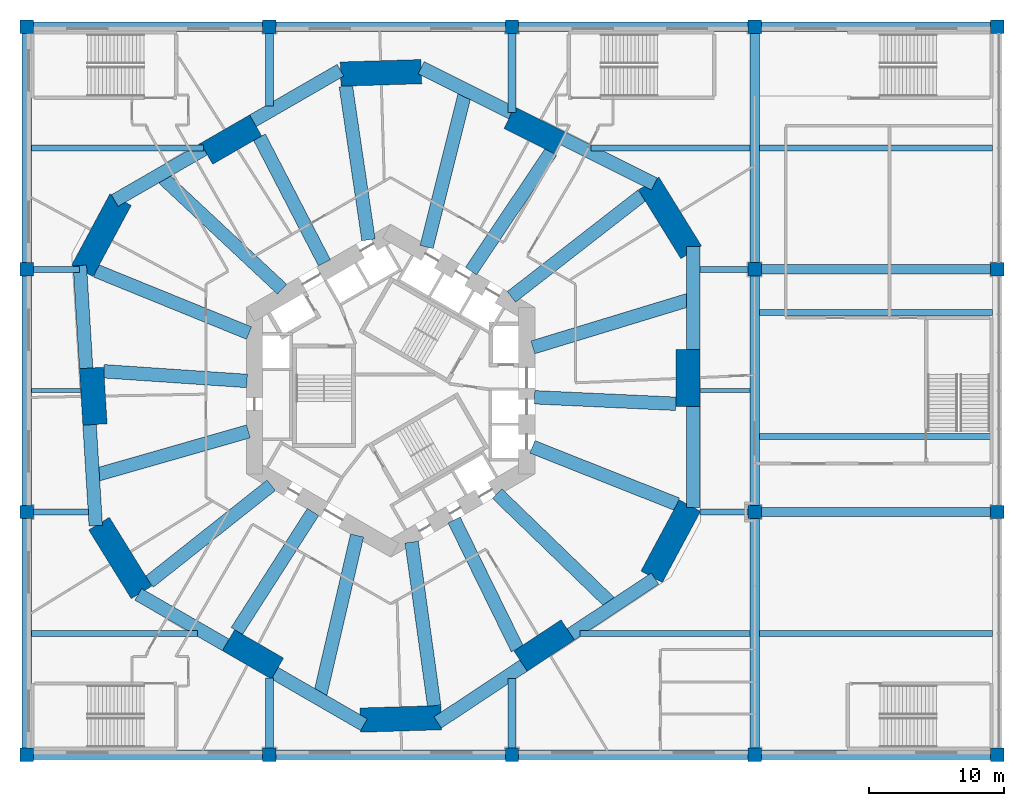
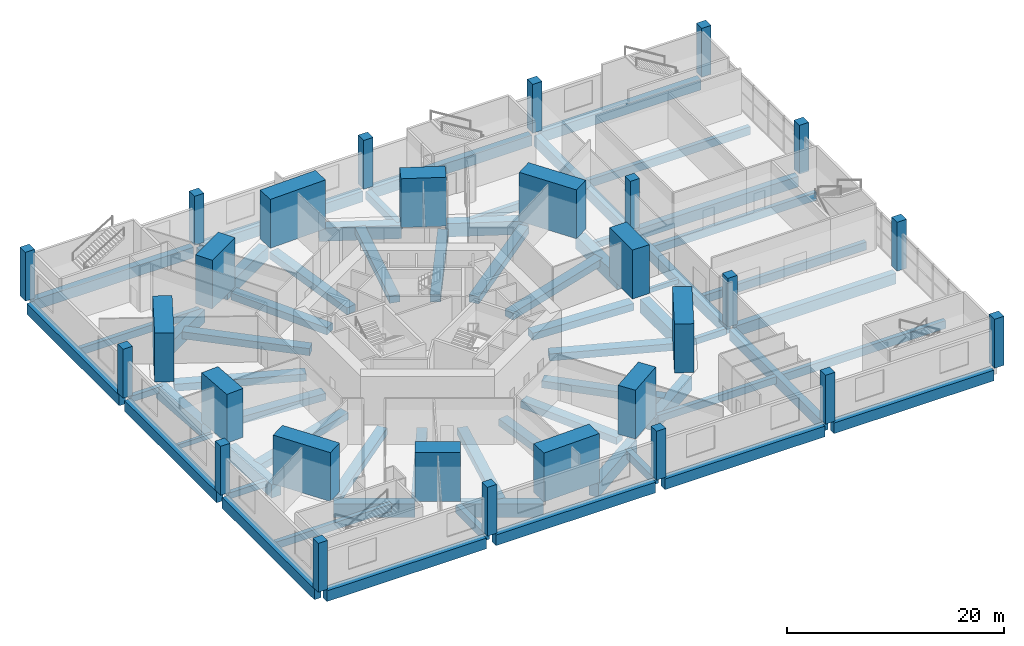
# One storey, part 1 of 16: 64 beams, 28 columns.
"""IFC4 building model written with IfcOpenShell, lengths in metres."""

from ifc_helpers import new_model, si_unit, direction, frame, origin, origin_2d, place, context, subcontext, project, spatial, rectangle, extrude, material, material_profile, profile_set, type_object, element, save


model = new_model("IFC4")

# Units and contexts
model_context = context("Model", 3, precision=1e-05, world=origin(), true_north=direction((0.0, 1.0)))
body_context = subcontext(model_context, "Body", "Model", "MODEL_VIEW")
ifc_project = project(units=[si_unit("LENGTHUNIT", "METRE"), si_unit("AREAUNIT", "SQUARE_METRE"), si_unit("VOLUMEUNIT", "CUBIC_METRE"), si_unit("PLANEANGLEUNIT", "RADIAN"), si_unit("MASSUNIT", "GRAM", prefix="KILO")], contexts=[model_context])

# Site, building, storey
site_placement = place(None, origin())
site = spatial("IfcSite", under=ifc_project, at=site_placement, CompositionType="ELEMENT")
building_placement = place(site_placement, origin())
building = spatial("IfcBuilding", under=site, at=building_placement, Name="Vanh Sen Convention Tower", CompositionType="ELEMENT")
storey_placement = place(building_placement, frame((0.0, 0.0, 29.0)))
storey = spatial("IfcBuildingStorey", under=building, at=storey_placement, Name="L04", CompositionType="ELEMENT", Elevation=29.0)

# Columns
ifc_material_1 = material(Name="Concrete C80/95", Category="concrete")
ifc_material_profile_1 = material_profile(ifc_material_1, rectangle(XDim=4.199951171875, YDim=1.800048828125, at=origin_2d()), Name="RC 4200X1800")
ifc_profile_set_1 = profile_set([ifc_material_profile_1], Name="Concrete C80/95")
column_type_1 = type_object("IfcColumnType", Name="Mega column 4200 x 1800 C80/95", PredefinedType="COLUMN", material=ifc_profile_set_1)
for number, where, z_axis, x_axis, name in (
    (1, (22.050048828125, 0.937255859375, 0.0), (0.0, 0.0, 1.0), (0.0, 1.0, 0.0), "Mega column 01 L04"),
    (2, (10.677490234375, 19.315185546875, 0.0), (0.0, 0.0, 1.0), (-0.894935140363, 0.446196251154, 0.0), "Mega column 03 L04"),
    (3, (-11.836669921875, 18.627197265625, 0.0), (0.0, 0.0, 1.0), (-0.866028021766, -0.499995465495, 0.0), "Mega column 05 L04"),
    (4, (-22.06591796875, -0.41064453125, 0.0), (0.0, 0.0, 1.0), (0.061046797461, -0.99813490497, 0.0), "Mega column 07 L04"),
    (5, (-10.21337890625, -19.564453125, 0.0), (0.0, 0.0, 1.0), (0.866028021766, -0.499995465495, 0.0), "Mega column 09 L04"),
    (6, (11.388671875, -18.904541015625, 0.0), (0.0, 0.0, 1.0), (0.833880042151, 0.551945717714, 0.0), "Mega column 11 L04"),
):
    element("IfcColumn", number, at=place(storey_placement, frame(where, z_axis=z_axis, x_axis=x_axis)), inside=storey, type_object=column_type_1, Name=name, PredefinedType="COLUMN", context=body_context, shape_type="SweptSolid", body=[
        extrude(rectangle(XDim=4.199951171875, YDim=1.800048828125, at=origin_2d()), origin(), (0.0, 0.0, 1.0), 5.5),
    ])
ifc_material_profile_2 = material_profile(ifc_material_1, rectangle(XDim=6.0, YDim=1.800048828125, at=origin_2d()), Name="RC 6000X1800")
ifc_profile_set_2 = profile_set([ifc_material_profile_2], Name="Concrete C80/95")
column_type_2 = type_object("IfcColumnType", Name="Mega column 6000 x 1800 C80/95", PredefinedType="COLUMN", material=ifc_profile_set_2)
for number, where, z_axis, x_axis, name in (
    (7, (20.71435546875, 12.818359375, 0.0), (0.0, 0.0, 1.0), (-0.526210955359, 0.850354061823, 0.0), "Mega column 02 L04"),
    (8, (-0.72021484375, 23.5771484375, 0.0), (0.0, 0.0, 1.0), (-0.999533644135, -0.030536768695, 0.0), "Mega column 04 L04"),
    (9, (-21.458251953125, 11.52978515625, 0.0), (0.0, 0.0, 1.0), (-0.473316592293, -0.880892390397, 0.0), "Mega column 06 L04"),
    (10, (-20.058349609375, -12.41259765625, 0.0), (0.0, 0.0, 1.0), (0.526202050444, -0.850359572245, 0.0), "Mega column 08 L04"),
    (11, (0.743896484375, -24.348388671875, 0.0), (0.0, 0.0, 1.0), (0.999533484231, 0.03054200224, 0.0), "Mega column 10 L04"),
    (12, (20.778564453125, -11.164794921875, 0.0), (0.0, 0.0, 1.0), (0.473322742071, 0.880889086003, 0.0), "Mega column 12 L04"),
):
    element("IfcColumn", number, at=place(storey_placement, frame(where, z_axis=z_axis, x_axis=x_axis)), inside=storey, type_object=column_type_2, Name=name, PredefinedType="COLUMN", context=body_context, shape_type="SweptSolid", body=[
        extrude(rectangle(XDim=6.0, YDim=1.800048828125, at=origin_2d()), origin(), (0.0, 0.0, 1.0), 5.5),
    ])
ifc_material_profile_3 = material_profile(ifc_material_1, rectangle(XDim=1.0, YDim=1.0, at=origin_2d()), Name="RC 1000X1000")
ifc_profile_set_3 = profile_set([ifc_material_profile_3], Name="Concrete C80/95")
column_type_3 = type_object("IfcColumnType", Name="Podium column 1000 x 1000 C80/95", PredefinedType="COLUMN", material=ifc_profile_set_3)
for number, where, z_axis, x_axis, name in (
    (13, (-27.0, -27.0, 0.0), (0.0, 0.0, 1.0), (1.0, 0.0, 0.0), "Podium column 01 L04"),
    (14, (-27.0, -9.0, 0.0), (0.0, 0.0, 1.0), (1.0, 0.0, 0.0), "Podium column 02 L04"),
    (15, (-27.0, 9.0, 0.0), (0.0, 0.0, 1.0), (1.0, 0.0, 0.0), "Podium column 03 L04"),
    (16, (-27.0, 27.0, 0.0), (0.0, 0.0, 1.0), (1.0, 0.0, 0.0), "Podium column 04 L04"),
    (17, (-9.0, -27.0, 0.0), (0.0, 0.0, 1.0), (1.0, 0.0, 0.0), "Podium column 05 L04"),
    (18, (-9.0, 27.0, 0.0), (0.0, 0.0, 1.0), (1.0, 0.0, 0.0), "Podium column 06 L04"),
    (19, (9.0, -27.0, 0.0), (0.0, 0.0, 1.0), (1.0, 0.0, 0.0), "Podium column 07 L04"),
    (20, (9.0, 27.0, 0.0), (0.0, 0.0, 1.0), (1.0, 0.0, 0.0), "Podium column 08 L04"),
    (21, (27.0, -27.0, 0.0), (0.0, 0.0, 1.0), (1.0, 0.0, 0.0), "Podium column 09 L04"),
    (22, (27.0, -9.0, 0.0), (0.0, 0.0, 1.0), (1.0, 0.0, 0.0), "Podium column 10 L04"),
    (23, (27.0, 9.0, 0.0), (0.0, 0.0, 1.0), (1.0, 0.0, 0.0), "Podium column 11 L04"),
    (24, (27.0, 27.0, 0.0), (0.0, 0.0, 1.0), (1.0, 0.0, 0.0), "Podium column 12 L04"),
    (25, (45.0, -27.0, 0.0), (0.0, 0.0, 1.0), (1.0, 0.0, 0.0), "Podium column 13 L04"),
    (26, (45.0, -9.0, 0.0), (0.0, 0.0, 1.0), (1.0, 0.0, 0.0), "Podium column 14 L04"),
    (27, (45.0, 9.0, 0.0), (0.0, 0.0, 1.0), (1.0, 0.0, 0.0), "Podium column 15 L04"),
    (28, (45.0, 27.0, 0.0), (0.0, 0.0, 1.0), (1.0, 0.0, 0.0), "Podium column 16 L04"),
):
    element("IfcColumn", number, at=place(storey_placement, frame(where, z_axis=z_axis, x_axis=x_axis)), inside=storey, type_object=column_type_3, Name=name, PredefinedType="COLUMN", context=body_context, shape_type="SweptSolid", body=[
        extrude(rectangle(XDim=1.0, YDim=1.0, at=origin_2d()), origin(), (0.0, 0.0, 1.0), 5.5),
    ])

# Beams
ifc_material_2 = material(Name="Concrete C50/60", Category="concrete")
ifc_material_profile_4 = material_profile(ifc_material_2, rectangle(XDim=0.449951171875, YDim=0.699951171875, at=origin_2d()), Name="RC 450X700")
ifc_profile_set_4 = profile_set([ifc_material_profile_4], Name="Concrete C50/60")
beam_type_1 = type_object("IfcBeamType", Name="Podium girder 450 x 700", PredefinedType="BEAM", material=ifc_profile_set_4)
beam_1_placement = place(storey_placement, frame((-26.5048828125, -9.0, -0.64990234375), z_axis=(1.0, 0.0, 0.0), x_axis=(0.0, 1.0, 0.0)))
element("IfcBeam", 29, at=beam_1_placement, inside=storey, type_object=beam_type_1, Name="Podium girder 18 L04", PredefinedType="BEAM", context=body_context, shape_type="SweptSolid", body=[
    extrude(rectangle(XDim=0.449951171875, YDim=0.699951171875, at=origin_2d()), origin(), (0.0, 0.0, 1.0), 4.081298828125),
])
beam_2_placement = place(storey_placement, frame((22.96337890625, -9.0, -0.64990234375), z_axis=(1.0, 0.0, 0.0), x_axis=(0.0, 1.0, 0.0)))
element("IfcBeam", 30, at=beam_2_placement, inside=storey, type_object=beam_type_1, Name="Podium girder 19 L04", PredefinedType="BEAM", context=body_context, shape_type="SweptSolid", body=[
    extrude(rectangle(XDim=0.449951171875, YDim=0.699951171875, at=origin_2d()), origin(), (0.0, 0.0, 1.0), 3.54150390625),
])
beam_3_placement = place(storey_placement, frame((-26.5048828125, 9.0, -0.64990234375), z_axis=(1.0, 0.0, 0.0), x_axis=(0.0, 1.0, 0.0)))
element("IfcBeam", 31, at=beam_3_placement, inside=storey, type_object=beam_type_1, Name="Podium girder 21 L04", PredefinedType="BEAM", context=body_context, shape_type="SweptSolid", body=[
    extrude(rectangle(XDim=0.449951171875, YDim=0.699951171875, at=origin_2d()), origin(), (0.0, 0.0, 1.0), 3.416748046875),
])
beam_4_placement = place(storey_placement, frame((22.945068359375, 9.0, -0.64990234375), z_axis=(1.0, 0.0, 0.0), x_axis=(0.0, 1.0, 0.0)))
element("IfcBeam", 32, at=beam_4_placement, inside=storey, type_object=beam_type_1, Name="Podium girder 22 L04", PredefinedType="BEAM", context=body_context, shape_type="SweptSolid", body=[
    extrude(rectangle(XDim=0.449951171875, YDim=0.699951171875, at=origin_2d()), origin(), (0.0, 0.0, 1.0), 3.559814453125),
])
ifc_material_profile_5 = material_profile(ifc_material_2, rectangle(XDim=0.60009765625, YDim=0.89990234375, at=origin_2d()), Name="RC 600X900")
ifc_profile_set_5 = profile_set([ifc_material_profile_5], Name="Concrete C50/60")
beam_type_2 = type_object("IfcBeamType", Name="Podium girder 600 x 900", PredefinedType="BEAM", material=ifc_profile_set_5)
beam_5_placement = place(storey_placement, frame((-9.0, -26.5048828125, -0.75), z_axis=(0.0, 1.0, 0.0), x_axis=(-1.0, 0.0, 0.0)))
element("IfcBeam", 33, at=beam_5_placement, inside=storey, type_object=beam_type_2, Name="Podium girder 04 L04", PredefinedType="BEAM", context=body_context, shape_type="SweptSolid", body=[
    extrude(rectangle(XDim=0.60009765625, YDim=0.89990234375, at=origin_2d()), origin(), (0.0, 0.0, 1.0), 5.205810546875),
])
beam_6_placement = place(storey_placement, frame((-9.0, 21.1259765625, -0.75), z_axis=(0.0, 1.0, 0.0), x_axis=(-1.0, 0.0, 0.0)))
element("IfcBeam", 34, at=beam_6_placement, inside=storey, type_object=beam_type_2, Name="Podium girder 05 L04", PredefinedType="BEAM", context=body_context, shape_type="SweptSolid", body=[
    extrude(rectangle(XDim=0.60009765625, YDim=0.89990234375, at=origin_2d()), origin(), (0.0, 0.0, 1.0), 5.37890625),
])
beam_7_placement = place(storey_placement, frame((9.0, -26.5048828125, -0.75), z_axis=(0.0, 1.0, 0.0), x_axis=(-1.0, 0.0, 0.0)))
element("IfcBeam", 35, at=beam_7_placement, inside=storey, type_object=beam_type_2, Name="Podium girder 06 L04", PredefinedType="BEAM", context=body_context, shape_type="SweptSolid", body=[
    extrude(rectangle(XDim=0.60009765625, YDim=0.89990234375, at=origin_2d()), origin(), (0.0, 0.0, 1.0), 5.143798828125),
])
beam_8_placement = place(storey_placement, frame((9.0, 20.652099609375, -0.75), z_axis=(0.0, 1.0, 0.0), x_axis=(-1.0, 0.0, 0.0)))
element("IfcBeam", 36, at=beam_8_placement, inside=storey, type_object=beam_type_2, Name="Podium girder 07 L04", PredefinedType="BEAM", context=body_context, shape_type="SweptSolid", body=[
    extrude(rectangle(XDim=0.60009765625, YDim=0.89990234375, at=origin_2d()), origin(), (0.0, 0.0, 1.0), 5.852783203125),
])
ifc_material_profile_6 = material_profile(ifc_material_2, rectangle(XDim=0.699951171875, YDim=1.199951171875, at=origin_2d()), Name="RC 700X1200")
ifc_profile_set_6 = profile_set([ifc_material_profile_6], Name="Concrete C50/60")
beam_type_3 = type_object("IfcBeamType", Name="Podium girder 700 x 1200", PredefinedType="BEAM", material=ifc_profile_set_6)
for number, where, z_axis, x_axis, name in (
    (37, (-27.0, -26.5048828125, -0.89990234375), (0.0, 1.0, 0.0), (-1.0, 0.0, 0.0), "Podium girder 01 L04"),
    (38, (-27.0, -8.5048828125, -0.89990234375), (0.0, 1.0, 0.0), (-1.0, 0.0, 0.0), "Podium girder 02 L04"),
    (39, (-27.0, 9.4951171875, -0.89990234375), (0.0, 1.0, 0.0), (-1.0, 0.0, 0.0), "Podium girder 03 L04"),
    (40, (27.0, -26.5048828125, -0.89990234375), (0.0, 1.0, 0.0), (-1.0, 0.0, 0.0), "Podium girder 08 L04"),
    (41, (27.0, -8.5048828125, -0.89990234375), (0.0, 1.0, 0.0), (-1.0, 0.0, 0.0), "Podium girder 09 L04"),
    (42, (27.0, 9.4951171875, -0.89990234375), (0.0, 1.0, 0.0), (-1.0, 0.0, 0.0), "Podium girder 10 L04"),
    (43, (-26.5048828125, -27.0, -0.89990234375), (1.0, 0.0, 0.0), (0.0, 1.0, 0.0), "Podium girder 14 L04"),
    (44, (-8.5048828125, -27.0, -0.89990234375), (1.0, 0.0, 0.0), (0.0, 1.0, 0.0), "Podium girder 15 L04"),
    (45, (9.4951171875, -27.0, -0.89990234375), (1.0, 0.0, 0.0), (0.0, 1.0, 0.0), "Podium girder 16 L04"),
    (46, (27.4951171875, -27.0, -0.89990234375), (1.0, 0.0, 0.0), (0.0, 1.0, 0.0), "Podium girder 17 L04"),
    (47, (27.4951171875, -9.0, -0.89990234375), (1.0, 0.0, 0.0), (0.0, 1.0, 0.0), "Podium girder 20 L04"),
    (48, (27.4951171875, 9.0, -0.89990234375), (1.0, 0.0, 0.0), (0.0, 1.0, 0.0), "Podium girder 23 L04"),
    (49, (-26.5048828125, 27.0, -0.89990234375), (1.0, 0.0, 0.0), (0.0, 1.0, 0.0), "Podium girder 24 L04"),
    (50, (-8.5048828125, 27.0, -0.89990234375), (1.0, 0.0, 0.0), (0.0, 1.0, 0.0), "Podium girder 25 L04"),
    (51, (9.4951171875, 27.0, -0.89990234375), (1.0, 0.0, 0.0), (0.0, 1.0, 0.0), "Podium girder 26 L04"),
    (52, (27.4951171875, 27.0, -0.89990234375), (1.0, 0.0, 0.0), (0.0, 1.0, 0.0), "Podium girder 27 L04"),
):
    element("IfcBeam", number, at=place(storey_placement, frame(where, z_axis=z_axis, x_axis=x_axis)), inside=storey, type_object=beam_type_3, Name=name, PredefinedType="BEAM", context=body_context, shape_type="SweptSolid", body=[
        extrude(rectangle(XDim=0.699951171875, YDim=1.199951171875, at=origin_2d()), origin(), (0.0, 0.0, 1.0), 17.009765625),
    ])
ifc_material_profile_7 = material_profile(ifc_material_2, rectangle(XDim=1.0, YDim=1.5, at=origin_2d()), Name="RC 1000X1500")
ifc_profile_set_7 = profile_set([ifc_material_profile_7], Name="Concrete C50/60")
beam_type_4 = type_object("IfcBeamType", Name="Podium ring girder 1000 x 1500", PredefinedType="BEAM", material=ifc_profile_set_7)
beam_9_placement = place(storey_placement, frame((22.449951171875, 3.0322265625, -1.050048828125), z_axis=(0.0, 1.0, 0.0), x_axis=(-1.0, 0.0, 0.0)))
element("IfcBeam", 53, at=beam_9_placement, inside=storey, type_object=beam_type_4, Name="Ring girder 01 L04", PredefinedType="BEAM", context=body_context, shape_type="SweptSolid", body=[
    extrude(rectangle(XDim=1.0, YDim=1.5, at=origin_2d()), origin(), (0.0, 0.0, 1.0), 7.646728515625),
])
beam_10_placement = place(storey_placement, frame((19.57421875, 15.326416015625, -1.050048828125), z_axis=(-0.894943809109, 0.44617886384, 0.0), x_axis=(-0.44617886384, -0.894943809109, 0.0)))
element("IfcBeam", 54, at=beam_10_placement, inside=storey, type_object=beam_type_4, Name="Ring girder 02 L04", PredefinedType="BEAM", context=body_context, shape_type="SweptSolid", body=[
    extrude(rectangle(XDim=1.0, YDim=1.5, at=origin_2d()), origin(), (0.0, 0.0, 1.0), 7.64697265625),
])
beam_11_placement = place(storey_placement, frame((9.069580078125, 20.563720703125, -1.050048828125), z_axis=(-0.894933951272, 0.446198636105, 0.0), x_axis=(-0.446198636105, -0.894933951272, 0.0)))
element("IfcBeam", 55, at=beam_11_placement, inside=storey, type_object=beam_type_4, Name="Ring girder 03 L04", PredefinedType="BEAM", context=body_context, shape_type="SweptSolid", body=[
    extrude(rectangle(XDim=1.0, YDim=1.5, at=origin_2d()), origin(), (0.0, 0.0, 1.0), 7.603271484375),
])
beam_12_placement = place(storey_placement, frame((-3.723388671875, 23.7734375, -1.050048828125), z_axis=(-0.866012220445, -0.500022833518, 0.0), x_axis=(0.500022833518, -0.866012220445, 0.0)))
element("IfcBeam", 56, at=beam_12_placement, inside=storey, type_object=beam_type_4, Name="Ring girder 04 L04", PredefinedType="BEAM", context=body_context, shape_type="SweptSolid", body=[
    extrude(rectangle(XDim=1.0, YDim=1.5, at=origin_2d()), origin(), (0.0, 0.0, 1.0), 7.504638671875),
])
for number, where, z_axis, x_axis, name in (
    (57, (-13.85107421875, 17.926025390625, -1.050048828125), (-0.866026077102, -0.499998833779, 0.0), (0.499998833779, -0.866026077102, 0.0), "Ring girder 05 L04"),
    (58, (-23.06005859375, 9.288330078125, -1.050048828125), (0.061046445508, -0.998134926496, 0.0), (0.998134926496, 0.061046445508, 0.0), "Ring girder 06 L04"),
):
    element("IfcBeam", number, at=place(storey_placement, frame(where, z_axis=z_axis, x_axis=x_axis)), inside=storey, type_object=beam_type_4, Name=name, PredefinedType="BEAM", context=body_context, shape_type="SweptSolid", body=[
        extrude(rectangle(XDim=1.0, YDim=1.5, at=origin_2d()), origin(), (0.0, 0.0, 1.0), 7.646484375),
    ])
for number, where, z_axis, x_axis, name in (
    (59, (-22.33740234375, -2.526123046875, -1.050048828125), (0.061031350148, -0.998135849621, 0.0), (0.998135849621, 0.061031350148, 0.0), "Ring girder 07 L04"),
    (60, (-18.726806640625, -15.111083984375, -1.050048828125), (0.866026307698, -0.499998434373, 0.0), (0.499998434373, 0.866026307698, 0.0), "Ring girder 08 L04"),
):
    element("IfcBeam", number, at=place(storey_placement, frame(where, z_axis=z_axis, x_axis=x_axis)), inside=storey, type_object=beam_type_4, Name=name, PredefinedType="BEAM", context=body_context, shape_type="SweptSolid", body=[
        extrude(rectangle(XDim=1.0, YDim=1.5, at=origin_2d()), origin(), (0.0, 0.0, 1.0), 7.50439453125),
    ])
beam_13_placement = place(storey_placement, frame((-8.59912109375, -20.958251953125, -1.050048828125), z_axis=(0.866020233978, -0.500008954261, 0.0), x_axis=(0.500008954261, 0.866020233978, 0.0)))
element("IfcBeam", 61, at=beam_13_placement, inside=storey, type_object=beam_type_4, Name="Ring girder 09 L04", PredefinedType="BEAM", context=body_context, shape_type="SweptSolid", body=[
    extrude(rectangle(XDim=1.0, YDim=1.5, at=origin_2d()), origin(), (0.0, 0.0, 1.0), 7.646728515625),
])
beam_14_placement = place(storey_placement, frame((3.486083984375, -24.61474609375, -1.050048828125), z_axis=(0.833877643649, 0.551949341355, 0.0), x_axis=(-0.551949341355, 0.833877643649, 0.0)))
element("IfcBeam", 62, at=beam_14_placement, inside=storey, type_object=beam_type_4, Name="Ring girder 10 L04", PredefinedType="BEAM", context=body_context, shape_type="SweptSolid", body=[
    extrude(rectangle(XDim=1.0, YDim=1.5, at=origin_2d()), origin(), (0.0, 0.0, 1.0), 7.934814453125),
])
for number, where, z_axis, x_axis, name in (
    (63, (13.3564453125, -18.081787109375, -1.050048828125), (0.83387759724, 0.551949411469, 0.0), (-0.551949411469, 0.83387759724, 0.0), "Ring girder 11 L04"),
    (64, (22.449951171875, -8.662109375, -1.050048828125), (0.0, 1.0, 0.0), (-1.0, 0.0, 0.0), "Ring girder 12 L04"),
):
    element("IfcBeam", number, at=place(storey_placement, frame(where, z_axis=z_axis, x_axis=x_axis)), inside=storey, type_object=beam_type_4, Name=name, PredefinedType="BEAM", context=body_context, shape_type="SweptSolid", body=[
        extrude(rectangle(XDim=1.0, YDim=1.5, at=origin_2d()), origin(), (0.0, 0.0, 1.0), 7.50439453125),
    ])
ifc_material_profile_8 = material_profile(ifc_material_2, rectangle(XDim=0.300048828125, YDim=0.5, at=origin_2d()), Name="RC 300X500")
ifc_profile_set_8 = profile_set([ifc_material_profile_8], Name="Concrete C50/60")
beam_type_5 = type_object("IfcBeamType", Name="Podium secondary beam 300 x 500", PredefinedType="BEAM", material=ifc_profile_set_8)
beam_15_placement = place(storey_placement, frame((-26.655029296875, 0.0, -0.550048828125), z_axis=(1.0, 0.0, 0.0), x_axis=(0.0, 1.0, 0.0)))
element("IfcBeam", 65, at=beam_15_placement, inside=storey, type_object=beam_type_5, Name="Podium secondary beam 04 L04", PredefinedType="BEAM", context=body_context, shape_type="SweptSolid", body=[
    extrude(rectangle(XDim=0.300048828125, YDim=0.5, at=origin_2d()), origin(), (0.0, 0.0, 1.0), 3.662109375),
])
beam_16_placement = place(storey_placement, frame((22.949951171875, 0.0, -0.550048828125), z_axis=(1.0, 0.0, 0.0), x_axis=(0.0, 1.0, 0.0)))
element("IfcBeam", 66, at=beam_16_placement, inside=storey, type_object=beam_type_5, Name="Podium secondary beam 05 L04", PredefinedType="BEAM", context=body_context, shape_type="SweptSolid", body=[
    extrude(rectangle(XDim=0.300048828125, YDim=0.5, at=origin_2d()), origin(), (0.0, 0.0, 1.0), 3.705078125),
])
ifc_material_profile_9 = material_profile(ifc_material_2, rectangle(XDim=0.449951171875, YDim=0.800048828125, at=origin_2d()), Name="RC 450X800")
ifc_profile_set_9 = profile_set([ifc_material_profile_9], Name="Concrete C50/60")
beam_type_6 = type_object("IfcBeamType", Name="Podium secondary beam 450 x 800", PredefinedType="BEAM", material=ifc_profile_set_9)
beam_17_placement = place(storey_placement, frame((-26.655029296875, -18.0, -0.699951171875), z_axis=(1.0, 0.0, 0.0), x_axis=(0.0, 1.0, 0.0)))
element("IfcBeam", 67, at=beam_17_placement, inside=storey, type_object=beam_type_6, Name="Podium secondary beam 01 L04", PredefinedType="BEAM", context=body_context, shape_type="SweptSolid", body=[
    extrude(rectangle(XDim=0.449951171875, YDim=0.800048828125, at=origin_2d()), origin(), (0.0, 0.0, 1.0), 12.32666015625),
])
beam_18_placement = place(storey_placement, frame((14.041015625, -18.0, -0.699951171875), z_axis=(1.0, 0.0, 0.0), x_axis=(0.0, 1.0, 0.0)))
element("IfcBeam", 68, at=beam_18_placement, inside=storey, type_object=beam_type_6, Name="Podium secondary beam 02 L04", PredefinedType="BEAM", context=body_context, shape_type="SweptSolid", body=[
    extrude(rectangle(XDim=0.449951171875, YDim=0.800048828125, at=origin_2d()), origin(), (0.0, 0.0, 1.0), 12.614013671875),
])
beam_19_placement = place(storey_placement, frame((-26.655029296875, 18.0, -0.699951171875), z_axis=(1.0, 0.0, 0.0), x_axis=(0.0, 1.0, 0.0)))
element("IfcBeam", 69, at=beam_19_placement, inside=storey, type_object=beam_type_6, Name="Podium secondary beam 08 L04", PredefinedType="BEAM", context=body_context, shape_type="SweptSolid", body=[
    extrude(rectangle(XDim=0.449951171875, YDim=0.800048828125, at=origin_2d()), origin(), (0.0, 0.0, 1.0), 12.760498046875),
])
beam_20_placement = place(storey_placement, frame((14.8759765625, 18.0, -0.699951171875), z_axis=(1.0, 0.0, 0.0), x_axis=(0.0, 1.0, 0.0)))
element("IfcBeam", 70, at=beam_20_placement, inside=storey, type_object=beam_type_6, Name="Podium secondary beam 09 L04", PredefinedType="BEAM", context=body_context, shape_type="SweptSolid", body=[
    extrude(rectangle(XDim=0.449951171875, YDim=0.800048828125, at=origin_2d()), origin(), (0.0, 0.0, 1.0), 11.779052734375),
])
ifc_material_profile_10 = material_profile(ifc_material_2, rectangle(XDim=0.449951171875, YDim=0.89990234375, at=origin_2d()), Name="RC 450X900")
ifc_profile_set_10 = profile_set([ifc_material_profile_10], Name="Concrete C50/60")
beam_type_7 = type_object("IfcBeamType", Name="Podium secondary beam 450 x 900", PredefinedType="BEAM", material=ifc_profile_set_10)
for number, where, z_axis, x_axis, name in (
    (71, (27.344970703125, -18.0, -0.75), (1.0, 0.0, 0.0), (0.0, 1.0, 0.0), "Podium secondary beam 03 L04"),
    (72, (27.344970703125, -3.3994140625, -0.75), (1.0, 0.0, 0.0), (0.0, 1.0, 0.0), "Podium secondary beam 06 L04"),
    (73, (27.344970703125, 5.800048828125, -0.75), (1.0, 0.0, 0.0), (0.0, 1.0, 0.0), "Podium secondary beam 07 L04"),
    (74, (27.344970703125, 18.0, -0.75), (1.0, 0.0, 0.0), (0.0, 1.0, 0.0), "Podium secondary beam 10 L04"),
):
    element("IfcBeam", number, at=place(storey_placement, frame(where, z_axis=z_axis, x_axis=x_axis)), inside=storey, type_object=beam_type_7, Name=name, PredefinedType="BEAM", context=body_context, shape_type="SweptSolid", body=[
        extrude(rectangle(XDim=0.449951171875, YDim=0.89990234375, at=origin_2d()), origin(), (0.0, 0.0, 1.0), 17.31005859375),
    ])
ifc_material_profile_11 = material_profile(ifc_material_2, rectangle(XDim=1.0, YDim=0.800048828125, at=origin_2d()), Name="RC 1000X800")
ifc_profile_set_11 = profile_set([ifc_material_profile_11], Name="Concrete C50/60")
beam_type_8 = type_object("IfcBeamType", Name="Radial floor beam 1000 x 800", PredefinedType="BEAM", material=ifc_profile_set_11)
beam_21_placement = place(storey_placement, frame((21.238037109375, -8.418701171875, -0.699951171875), z_axis=(-0.929626395453, 0.368503412299, 0.0), x_axis=(-0.368503412299, -0.929626395453, 0.0)))
element("IfcBeam", 75, at=beam_21_placement, inside=storey, type_object=beam_type_8, Name="Radial beam 01 L04", PredefinedType="BEAM", context=body_context, shape_type="SweptSolid", body=[
    extrude(rectangle(XDim=1.0, YDim=0.800048828125, at=origin_2d()), origin(), (0.0, 0.0, 1.0), 11.5390625),
])
beam_22_placement = place(storey_placement, frame((21.155029296875, -0.970703125, -0.699951171875), z_axis=(-0.998949166628, 0.045831893853, 0.0), x_axis=(-0.045831893853, -0.998949166628, 0.0)))
element("IfcBeam", 76, at=beam_22_placement, inside=storey, type_object=beam_type_8, Name="Radial beam 02 L04", PredefinedType="BEAM", context=body_context, shape_type="SweptSolid", body=[
    extrude(rectangle(XDim=1.0, YDim=0.800048828125, at=origin_2d()), origin(), (0.0, 0.0, 1.0), 10.493896484375),
])
beam_23_placement = place(storey_placement, frame((22.1005859375, 6.732666015625, -0.699951171875), z_axis=(-0.95659843119, -0.291409405211, 0.0), x_axis=(0.291409405211, -0.95659843119, 0.0)))
element("IfcBeam", 77, at=beam_23_placement, inside=storey, type_object=beam_type_8, Name="Radial beam 03 L04", PredefinedType="BEAM", context=body_context, shape_type="SweptSolid", body=[
    extrude(rectangle(XDim=1.0, YDim=0.800048828125, at=origin_2d()), origin(), (0.0, 0.0, 1.0), 12.0751953125),
])
beam_24_placement = place(storey_placement, frame((18.630615234375, 14.484619140625, -0.699951171875), z_axis=(-0.789469121042, -0.613790279265, 0.0), x_axis=(0.613790279265, -0.789469121042, 0.0)))
element("IfcBeam", 78, at=beam_24_placement, inside=storey, type_object=beam_type_8, Name="Radial beam 04 L04", PredefinedType="BEAM", context=body_context, shape_type="SweptSolid", body=[
    extrude(rectangle(XDim=1.0, YDim=0.800048828125, at=origin_2d()), origin(), (0.0, 0.0, 1.0), 12.255859375),
])
beam_25_placement = place(storey_placement, frame((11.888671875, 17.7109375, -0.699951171875), z_axis=(-0.557333016414, -0.830289051364, 0.0), x_axis=(0.830289051364, -0.557333016414, 0.0)))
element("IfcBeam", 79, at=beam_25_placement, inside=storey, type_object=beam_type_8, Name="Radial beam 05 L04", PredefinedType="BEAM", context=body_context, shape_type="SweptSolid", body=[
    extrude(rectangle(XDim=1.0, YDim=0.800048828125, at=origin_2d()), origin(), (0.0, 0.0, 1.0), 10.6455078125),
])
beam_26_placement = place(storey_placement, frame((5.47802734375, 21.921875, -0.699951171875), z_axis=(-0.242426812684, -0.97016969675, 0.0), x_axis=(0.97016969675, -0.242426812684, 0.0)))
element("IfcBeam", 80, at=beam_26_placement, inside=storey, type_object=beam_type_8, Name="Radial beam 06 L04", PredefinedType="BEAM", context=body_context, shape_type="SweptSolid", body=[
    extrude(rectangle(XDim=1.0, YDim=0.800048828125, at=origin_2d()), origin(), (0.0, 0.0, 1.0), 11.614501953125),
])
beam_27_placement = place(storey_placement, frame((-3.328125, 22.60205078125, -0.699951171875), z_axis=(0.145673679863, -0.989332693787, 0.0), x_axis=(0.989332693787, 0.145673679863, 0.0)))
element("IfcBeam", 81, at=beam_27_placement, inside=storey, type_object=beam_type_8, Name="Radial beam 07 L04", PredefinedType="BEAM", context=body_context, shape_type="SweptSolid", body=[
    extrude(rectangle(XDim=1.0, YDim=0.800048828125, at=origin_2d()), origin(), (0.0, 0.0, 1.0), 11.538818359375),
])
beam_28_placement = place(storey_placement, frame((-9.73681640625, 18.80615234375, -0.699951171875), z_axis=(0.459760226255, -0.888043092622, 0.0), x_axis=(0.888043092622, 0.459760226255, 0.0)))
element("IfcBeam", 82, at=beam_28_placement, inside=storey, type_object=beam_type_8, Name="Radial beam 08 L04", PredefinedType="BEAM", context=body_context, shape_type="SweptSolid", body=[
    extrude(rectangle(XDim=1.0, YDim=0.800048828125, at=origin_2d()), origin(), (0.0, 0.0, 1.0), 10.493896484375),
])
beam_29_placement = place(storey_placement, frame((-16.880859375, 15.773193359375, -0.699951171875), z_axis=(0.730669888391, -0.682730923717, 0.0), x_axis=(0.682730923717, 0.730669888391, 0.0)))
element("IfcBeam", 83, at=beam_29_placement, inside=storey, type_object=beam_type_8, Name="Radial beam 09 L04", PredefinedType="BEAM", context=body_context, shape_type="SweptSolid", body=[
    extrude(rectangle(XDim=1.0, YDim=0.800048828125, at=origin_2d()), origin(), (0.0, 0.0, 1.0), 12.074951171875),
])
beam_30_placement = place(storey_placement, frame((-21.859375, 8.892333984375, -0.699951171875), z_axis=(0.926287387337, -0.376817828746, 0.0), x_axis=(0.376817828746, 0.926287387337, 0.0)))
element("IfcBeam", 84, at=beam_30_placement, inside=storey, type_object=beam_type_8, Name="Radial beam 10 L04", PredefinedType="BEAM", context=body_context, shape_type="SweptSolid", body=[
    extrude(rectangle(XDim=1.0, YDim=0.800048828125, at=origin_2d()), origin(), (0.0, 0.0, 1.0), 12.255615234375),
])
beam_31_placement = place(storey_placement, frame((-21.282470703125, 1.4404296875, -0.699951171875), z_axis=(0.997718193442, -0.067515971992, 0.0), x_axis=(0.067515971992, 0.997718193442, 0.0)))
element("IfcBeam", 85, at=beam_31_placement, inside=storey, type_object=beam_type_8, Name="Radial beam 11 L04", PredefinedType="BEAM", context=body_context, shape_type="SweptSolid", body=[
    extrude(rectangle(XDim=1.0, YDim=0.800048828125, at=origin_2d()), origin(), (0.0, 0.0, 1.0), 10.6455078125),
])
beam_32_placement = place(storey_placement, frame((-21.723876953125, -6.216796875, -0.699951171875), z_axis=(0.961405669021, 0.275134766203, 0.0), x_axis=(-0.275134766203, 0.961405669021, 0.0)))
element("IfcBeam", 86, at=beam_32_placement, inside=storey, type_object=beam_type_8, Name="Radial beam 12 L04", PredefinedType="BEAM", context=body_context, shape_type="SweptSolid", body=[
    extrude(rectangle(XDim=1.0, YDim=0.800048828125, at=origin_2d()), origin(), (0.0, 0.0, 1.0), 11.614501953125),
])
beam_33_placement = place(storey_placement, frame((-17.909912109375, -14.183349609375, -0.699951171875), z_axis=(0.783941130439, 0.620835166535, 0.0), x_axis=(-0.620835166535, 0.783941130439, 0.0)))
element("IfcBeam", 87, at=beam_33_placement, inside=storey, type_object=beam_type_8, Name="Radial beam 13 L04", PredefinedType="BEAM", context=body_context, shape_type="SweptSolid", body=[
    extrude(rectangle(XDim=1.0, YDim=0.800048828125, at=origin_2d()), origin(), (0.0, 0.0, 1.0), 11.5390625),
])
beam_34_placement = place(storey_placement, frame((-11.418212890625, -17.83544921875, -0.699951171875), z_axis=(0.539175162017, 0.842193650335, 0.0), x_axis=(-0.842193650335, 0.539175162017, 0.0)))
element("IfcBeam", 88, at=beam_34_placement, inside=storey, type_object=beam_type_8, Name="Radial beam 14 L04", PredefinedType="BEAM", context=body_context, shape_type="SweptSolid", body=[
    extrude(rectangle(XDim=1.0, YDim=0.800048828125, at=origin_2d()), origin(), (0.0, 0.0, 1.0), 10.494140625),
])
beam_35_placement = place(storey_placement, frame((-5.219482421875, -22.505859375, -0.699951171875), z_axis=(0.225921069531, 0.974145610441, 0.0), x_axis=(-0.974145610441, 0.225921069531, 0.0)))
element("IfcBeam", 89, at=beam_35_placement, inside=storey, type_object=beam_type_8, Name="Radial beam 15 L04", PredefinedType="BEAM", context=body_context, shape_type="SweptSolid", body=[
    extrude(rectangle(XDim=1.0, YDim=0.800048828125, at=origin_2d()), origin(), (0.0, 0.0, 1.0), 12.0751953125),
])
beam_36_placement = place(storey_placement, frame((3.228759765625, -23.376953125, -0.699951171875), z_axis=(-0.136812656494, 0.99059693974, 0.0), x_axis=(-0.99059693974, -0.136812656494, 0.0)))
element("IfcBeam", 90, at=beam_36_placement, inside=storey, type_object=beam_type_8, Name="Radial beam 16 L04", PredefinedType="BEAM", context=body_context, shape_type="SweptSolid", body=[
    extrude(rectangle(XDim=1.0, YDim=0.800048828125, at=origin_2d()), origin(), (0.0, 0.0, 1.0), 12.255859375),
])
beam_37_placement = place(storey_placement, frame((9.393798828125, -19.151611328125, -0.699951171875), z_axis=(-0.440366399131, 0.897818152254, 0.0), x_axis=(-0.897818152254, -0.440366399131, 0.0)))
element("IfcBeam", 91, at=beam_37_placement, inside=storey, type_object=beam_type_8, Name="Radial beam 17 L04", PredefinedType="BEAM", context=body_context, shape_type="SweptSolid", body=[
    extrude(rectangle(XDim=1.0, YDim=0.800048828125, at=origin_2d()), origin(), (0.0, 0.0, 1.0), 10.645751953125),
])
beam_38_placement = place(storey_placement, frame((16.245849609375, -15.705078125, -0.699951171875), z_axis=(-0.718976471313, 0.695034411881, 0.0), x_axis=(-0.695034411881, -0.718976471313, 0.0)))
element("IfcBeam", 92, at=beam_38_placement, inside=storey, type_object=beam_type_8, Name="Radial beam 18 L04", PredefinedType="BEAM", context=body_context, shape_type="SweptSolid", body=[
    extrude(rectangle(XDim=1.0, YDim=0.800048828125, at=origin_2d()), origin(), (0.0, 0.0, 1.0), 11.614501953125),
])

save(model, "model.ifc")
